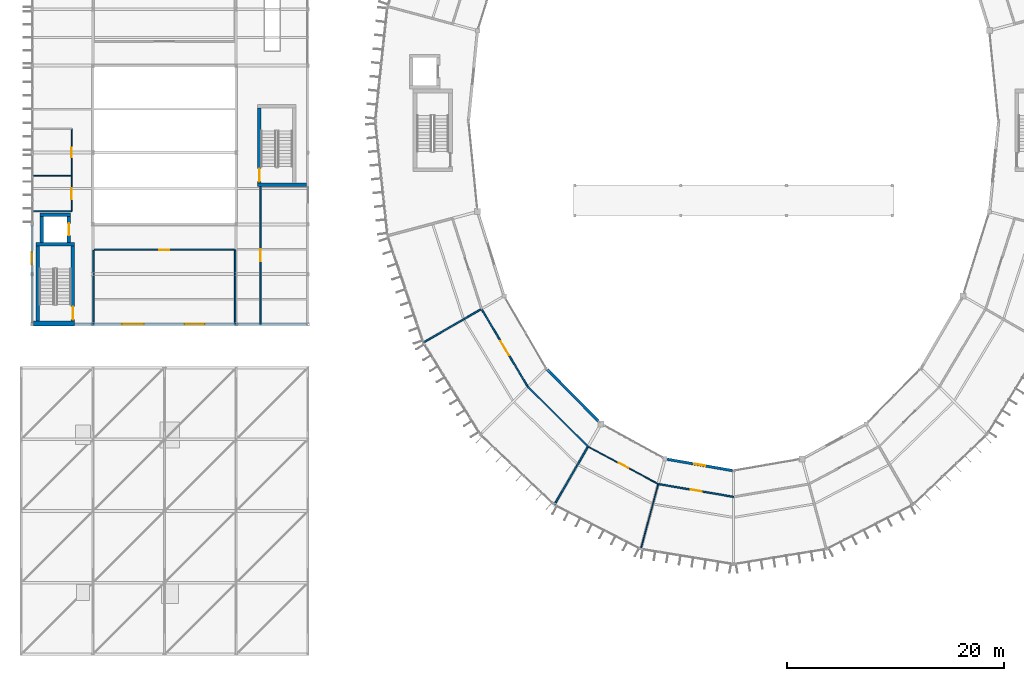
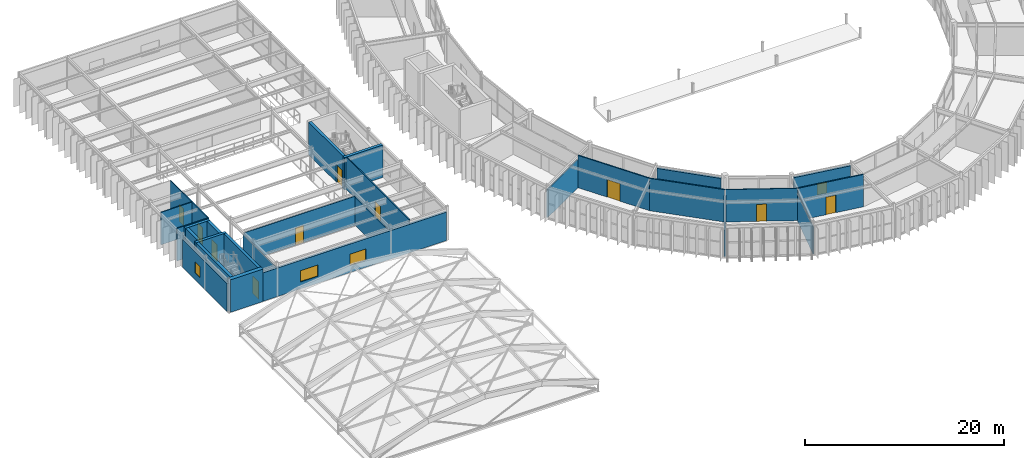
# One storey, part 137 of 157: 28 walls, 10 doors, 4 windows, 14 openings.
"""IFC4 building model written with IfcOpenShell, lengths in metres."""

import ifcopenshell
import ifcopenshell.guid

model = None  # the IFC model being written
_history = None  # IfcOwnerHistory: only IFC2X3 demands one
_inside = {}  # id of a spatial element -> (the spatial element, [elements in it])
_under = {}  # id of a project, library or spatial element -> (it, [spatial elements below it])
_declared = {}  # id of a project -> (the project, [libraries it declares])
_typed = {}  # id of a type object -> (the type object, [elements of that type])
_made_of = {}  # id of a material, layer set ... -> (it, [elements and type objects made of it])


def new_model(schema):
    """Start an empty IFC model of exactly this schema.

    Asked for "IFC4X3", IfcOpenShell would pick the latest addendum, in which some entities
    have other attributes; the version numbers below select the first issue.
    IFC2X3 requires an IfcOwnerHistory on every rooted entity: one is made here for all.
    """
    global model, _history
    if schema == "IFC4X3":
        model = ifcopenshell.file(schema_version=(4, 3, 0, 0))
    else:
        model = ifcopenshell.file(schema=schema)
    _inside.clear()
    _under.clear()
    _declared.clear()
    _typed.clear()
    _made_of.clear()
    _history = None
    if model.schema == "IFC2X3":
        org = make("IfcOrganization", Name="unknown")
        user = make(
            "IfcPersonAndOrganization",
            ThePerson=make("IfcPerson", FamilyName="unknown"),
            TheOrganization=org,
        )
        app = make(
            "IfcApplication",
            ApplicationDeveloper=org,
            Version="unknown",
            ApplicationFullName="unknown",
            ApplicationIdentifier="unknown",
        )
        _history = make(
            "IfcOwnerHistory",
            OwningUser=user,
            OwningApplication=app,
            ChangeAction="ADDED",
            CreationDate=0,
        )
    return model


def make(cls, **values):
    """One entity of the class cls with the attributes given. An attribute that is None is left unset."""
    return model.create_entity(
        cls, **{name: value for name, value in values.items() if value is not None}
    )


def rooted(cls, **values):
    """An entity with a GlobalId (a new one), such as an element, a storey or a relation."""
    return make(cls, GlobalId=ifcopenshell.guid.new(), OwnerHistory=_history, **values)


def si_unit(unit_type, name, prefix=None):
    """IfcSIUnit, for example si_unit("LENGTHUNIT", "METRE", prefix="MILLI")."""
    return make("IfcSIUnit", UnitType=unit_type, Prefix=prefix, Name=name)


def assignment(units):
    """IfcUnitAssignment: the units of a project."""
    return None if units is None else make("IfcUnitAssignment", Units=units)


def point(xyz):
    """IfcCartesianPoint."""
    return None if xyz is None else make("IfcCartesianPoint", Coordinates=xyz)


def direction(xyz):
    """IfcDirection."""
    return None if xyz is None else make("IfcDirection", DirectionRatios=xyz)


def frame(location, z_axis=None, x_axis=None):
    """IfcAxis2Placement3D, a coordinate frame: its origin and axes. An axis left out is left unset."""
    return make(
        "IfcAxis2Placement3D",
        Location=point(location),
        Axis=direction(z_axis),
        RefDirection=direction(x_axis),
    )


def frame_2d(location, x_axis=None):
    """IfcAxis2Placement2D, a coordinate frame in the plane: its origin and x axis."""
    return make(
        "IfcAxis2Placement2D", Location=point(location), RefDirection=direction(x_axis)
    )


def origin():
    """The frame at (0, 0, 0) with its axes left unset."""
    return frame((0.0, 0.0, 0.0))


def place(relative_to, where):
    """IfcLocalPlacement: puts the frame where relative to a parent placement (None: the world)."""
    return make(
        "IfcLocalPlacement", PlacementRelTo=relative_to, RelativePlacement=where
    )


def context(
    kind, dimensions, precision=None, world=None, true_north=None, identifier=None
):
    """IfcGeometricRepresentationContext, for example the 3D "Model" context."""
    return make(
        "IfcGeometricRepresentationContext",
        ContextIdentifier=identifier,
        ContextType=kind,
        CoordinateSpaceDimension=dimensions,
        Precision=precision,
        WorldCoordinateSystem=world,
        TrueNorth=true_north,
    )


def subcontext(parent, identifier, kind, view, scale=None):
    """IfcGeometricRepresentationSubContext, for example "Body" below "Model"."""
    return make(
        "IfcGeometricRepresentationSubContext",
        ContextIdentifier=identifier,
        ContextType=kind,
        ParentContext=parent,
        TargetScale=scale,
        TargetView=view,
    )


def project(units=None, contexts=None):
    """IfcProject with its units and contexts."""
    return rooted(
        "IfcProject",
        Name="project",
        RepresentationContexts=contexts,
        UnitsInContext=assignment(units),
    )


def spatial(cls, under=None, at=None, **own):
    """A site, building, storey or space (cls), placed at a placement, below another one or the project."""
    s = rooted(cls, ObjectPlacement=at, **own)
    if under is not None:
        _under.setdefault(under.id(), (under, []))[1].append(s)
    return s


def profile(cls, at=None, kind="AREA", **sizes):
    """A parametric profile (cls). Its sizes go by their IFC names, for example OverallWidth=200.0."""
    return make(cls, ProfileType=kind, Position=at, **sizes)


def rectangle(**sizes):
    """IfcRectangleProfileDef."""
    return profile("IfcRectangleProfileDef", **sizes)


def extrude(swept, where, along, depth):
    """IfcExtrudedAreaSolid: the profile swept, set in the frame where, extruded along a direction by depth."""
    return make(
        "IfcExtrudedAreaSolid",
        SweptArea=swept,
        Position=where,
        ExtrudedDirection=direction(along),
        Depth=depth,
    )


def shape(context_of_items, identifier, shape_type, items):
    """IfcShapeRepresentation: the items that make up one representation, for example the "Body"."""
    return make(
        "IfcShapeRepresentation",
        ContextOfItems=context_of_items,
        RepresentationIdentifier=identifier,
        RepresentationType=shape_type,
        Items=items,
    )


def material(Name=None, Category=None):
    """IfcMaterial."""
    return make("IfcMaterial", Name=Name, Category=Category)


def layer(
    of_material, thickness, ventilated=None, Name=None, Category=None, Priority=None
):
    """IfcMaterialLayer: one layer of a wall or slab, of a material (None: an air gap)."""
    return make(
        "IfcMaterialLayer",
        Material=of_material,
        LayerThickness=thickness,
        IsVentilated=ventilated,
        Name=Name,
        Category=Category,
        Priority=Priority,
    )


def layer_set(layers, Name=None):
    """IfcMaterialLayerSet."""
    return make("IfcMaterialLayerSet", MaterialLayers=layers, LayerSetName=Name)


def made_of(thing, what):
    """Note that an element or type object is made of a material, layer set ...; save() writes the relation."""
    if what is not None:
        _made_of.setdefault(what.id(), (what, []))[1].append(thing)
    return thing


def type_object(cls, material=None, **own):
    """A type object (cls), such as IfcWallType, which elements share."""
    return made_of(rooted(cls, **own), material)


def element(
    cls,
    number,
    at=None,
    inside=None,
    cuts=None,
    type_object=None,
    material=None,
    context=None,
    identifier="Body",
    shape_type=None,
    held_by="IfcProductDefinitionShape",
    body=None,
    shapes=None,
    **own,
):
    """One element of the class cls, such as IfcWall. Its Tag is "e" and its number.

    at: its placement. inside: the storey or other place that contains it. cuts: it is an
    opening in that element (IfcRelVoidsElement). A single representation is given by context,
    identifier, shape_type and body (its items); several are given by shapes. held_by: the class
    of the entity that holds the representations. save() writes the other relations.
    """
    e = rooted(cls, Tag="e%d" % number, ObjectPlacement=at, **own)
    if body is not None:
        shapes = [shape(context, identifier, shape_type, body)]
    if shapes is not None:
        e.Representation = make(held_by, Representations=shapes)
    if inside is not None:
        _inside.setdefault(inside.id(), (inside, []))[1].append(e)
    if cuts is not None:
        rooted(
            "IfcRelVoidsElement", RelatingBuildingElement=cuts, RelatedOpeningElement=e
        )
    if type_object is not None:
        _typed.setdefault(type_object.id(), (type_object, []))[1].append(e)
    return made_of(e, material)


def fill(opening, filler):
    """IfcRelFillsElement: the door or window that sits in an opening."""
    return rooted(
        "IfcRelFillsElement",
        RelatingOpeningElement=opening,
        RelatedBuildingElement=filler,
    )


def aggregate(whole, parts):
    """IfcRelAggregates: a whole, such as a stair, and the parts it consists of."""
    return rooted("IfcRelAggregates", RelatingObject=whole, RelatedObjects=parts)


def save(model, path):
    """Write the relations noted so far, then the file.

    IfcRelAggregates (storeys below a building ...), IfcRelContainedInSpatialStructure (elements
    in a storey), IfcRelDefinesByType, IfcRelAssociatesMaterial and IfcRelDeclares: one each for
    every whole, place, type object, material and project.
    """
    for whole, parts in _under.values():
        aggregate(whole, parts)
    for where, things in _inside.values():
        rooted(
            "IfcRelContainedInSpatialStructure",
            RelatedElements=things,
            RelatingStructure=where,
        )
    for kind, things in _typed.values():
        rooted("IfcRelDefinesByType", RelatedObjects=things, RelatingType=kind)
    for what, things in _made_of.values():
        rooted("IfcRelAssociatesMaterial", RelatedObjects=things, RelatingMaterial=what)
    for by, libraries in _declared.values():
        rooted("IfcRelDeclares", RelatingContext=by, RelatedDefinitions=libraries)
    model.write(path)


model = new_model("IFC4")

# Units and contexts
model_context = context("Model", 3, precision=1e-05, world=origin(), true_north=direction((0.0, 1.0)))
body_context = subcontext(model_context, "Body", "Model", "MODEL_VIEW")
ifc_project = project(units=[si_unit("LENGTHUNIT", "METRE"), si_unit("AREAUNIT", "SQUARE_METRE"), si_unit("VOLUMEUNIT", "CUBIC_METRE"), si_unit("PLANEANGLEUNIT", "RADIAN"), si_unit("MASSUNIT", "GRAM", prefix="KILO")], contexts=[model_context])

# Site, building, storey
site_placement = place(None, origin())
site = spatial("IfcSite", under=ifc_project, at=site_placement, CompositionType="ELEMENT")
building_placement = place(site_placement, origin())
building = spatial("IfcBuilding", under=site, at=building_placement, Name="Karori Crest Natural Sciences Institute", CompositionType="ELEMENT")
storey_placement = place(building_placement, frame((0.0, 0.0, 13.300048828125)))
storey = spatial("IfcBuildingStorey", under=building, at=storey_placement, Name="L03", CompositionType="ELEMENT", Elevation=13.300048828125)

# Walls
ifc_material_1 = material(Name="Concrete 50 MPa", Category="concrete")
ifc_layer_1 = layer(ifc_material_1, 0.449951171875, Name="Concrete 50 MPa")
ifc_layer_set_1 = layer_set([ifc_layer_1], Name="Concrete 50 MPa")
wall_type_1 = type_object("IfcWallType", Name="IWT-01-EL", PredefinedType="SHEAR", material=ifc_layer_set_1)
wall_1_placement = place(storey_placement, frame((1.927001953125, 31.27490234375, 0.0), z_axis=(0.0, 0.0, 1.0), x_axis=(1.0, 0.0, 0.0)))
element("IfcWall", 1, at=wall_1_placement, inside=storey, type_object=wall_type_1, Name="Shear wall IW-0241", PredefinedType="SHEAR", context=body_context, shape_type="SweptSolid", body=[
    extrude(rectangle(XDim=3.79296875, YDim=0.449951171875, at=frame_2d((1.896484375, 0.0))), origin(), (0.0, 0.0, 1.0), 4.0),
])
ifc_layer_2 = layer(ifc_material_1, 0.320068359375, Name="Concrete 50 MPa")
ifc_layer_set_2 = layer_set([ifc_layer_2], Name="Concrete 50 MPa")
wall_type_2 = type_object("IfcWallType", Name="IWT-03", PredefinedType="SHEAR", material=ifc_layer_set_2)
wall_2_placement = place(storey_placement, frame((2.179931640625, 38.56005859375, 0.0), z_axis=(0.0, 0.0, 1.0), x_axis=(1.0, 0.0, 0.0)))
element("IfcWall", 2, at=wall_2_placement, inside=storey, type_object=wall_type_2, Name="Shear wall IW-0242", PredefinedType="SHEAR", context=body_context, shape_type="SweptSolid", body=[
    extrude(rectangle(XDim=3.5400390625, YDim=0.320068359375, at=frame_2d((1.77001953125, 0.0))), origin(), (0.0, 0.0, 1.0), 4.0),
])
wall_3_placement = place(storey_placement, frame((2.340087890625, 31.501953125, 0.0), z_axis=(0.0, 0.0, 1.0), x_axis=(0.0, 1.0, 0.0)))
element("IfcWall", 3, at=wall_3_placement, inside=storey, type_object=wall_type_2, Name="Shear wall IW-0243", PredefinedType="SHEAR", context=body_context, shape_type="SweptSolid", body=[
    extrude(rectangle(XDim=6.89599609375, YDim=0.320068359375, at=frame_2d((3.447998046875, 0.0))), origin(), (0.0, 0.0, 1.0), 4.0),
])

# Wall, opening, door
wall_4_placement = place(storey_placement, frame((5.56005859375, 31.501953125, 0.0), z_axis=(0.0, 0.0, 1.0), x_axis=(0.0, 1.0, 0.0)))
wall_4 = element("IfcWall", 4, at=wall_4_placement, inside=storey, type_object=wall_type_2, Name="Shear wall IW-0244", PredefinedType="SHEAR", context=body_context, shape_type="SweptSolid", body=[
    extrude(rectangle(XDim=6.89599609375, YDim=0.320068359375, at=frame_2d((3.447998046875, 0.0))), origin(), (0.0, 0.0, 1.0), 4.0),
])
opening_1_placement = place(wall_4_placement, frame((0.1201171875, 0.0, 0.0)))
opening_1 = element("IfcOpeningElement", 5, at=opening_1_placement, cuts=wall_4, Name="Opening ID-0061", PredefinedType="OPENING", context=body_context, shape_type="SweptSolid", body=[
    extrude(rectangle(XDim=1.199951171875, YDim=2.14990234375, at=frame_2d((0.60009765625, 1.074951171875))), frame((0.0, 0.169921875, 0.0), z_axis=(0.0, -1.0, 0.0), x_axis=(1.0, 0.0, 0.0)), (0.0, 0.0, 1.0), 0.340087890625),
])
ifc_material_2 = material(Name="Stainless steel 316 and fire-rated timber", Category="steel")
door_type_1 = type_object("IfcDoorType", Name="IDT-01", OperationType="NOTDEFINED", PredefinedType="DOOR", material=ifc_material_2)
door_1_placement = place(opening_1_placement, origin())
door_1 = element("IfcDoor", 6, at=door_1_placement, inside=storey, type_object=door_type_1, Name="Stair ST-07 fire door ID-0061", OperationType="SINGLE_SWING_LEFT", OverallHeight=2.14990234375, OverallWidth=1.199951171875, PredefinedType="DOOR", context=body_context, shape_type="SweptSolid", body=[
    extrude(rectangle(XDim=1.199951171875, YDim=2.14990234375, at=frame_2d((0.60009765625, 1.074951171875))), frame((0.0, 0.02490234375, 0.0), z_axis=(0.0, -1.0, 0.0), x_axis=(1.0, 0.0, 0.0)), (0.0, 0.0, 1.0), 0.050048828125),
])
fill(opening_1, door_1)

# Wall
wall_5_placement = place(storey_placement, frame((22.580078125, 44.0400390625, 0.0), z_axis=(0.0, 0.0, 1.0), x_axis=(1.0, 0.0, 0.0)))
element("IfcWall", 7, at=wall_5_placement, inside=storey, type_object=wall_type_2, Name="Shear wall IW-0265", PredefinedType="SHEAR", context=body_context, shape_type="SweptSolid", body=[
    extrude(rectangle(XDim=4.48486328125, YDim=0.320068359375, at=frame_2d((2.242431640625, 0.0))), origin(), (0.0, 0.0, 1.0), 4.0),
])

# Wall, opening, door
wall_6_placement = place(storey_placement, frame((22.739990234375, 44.201904296875, 0.0), z_axis=(0.0, 0.0, 1.0), x_axis=(0.0, 1.0, 0.0)))
wall_6 = element("IfcWall", 8, at=wall_6_placement, inside=storey, type_object=wall_type_2, Name="Shear wall IW-0267", PredefinedType="SHEAR", context=body_context, shape_type="SweptSolid", body=[
    extrude(rectangle(XDim=6.89599609375, YDim=0.320068359375, at=frame_2d((3.447998046875, 0.0))), origin(), (0.0, 0.0, 1.0), 4.0),
])
opening_2_placement = place(wall_6_placement, frame((0.1201171875, 0.0, 0.0)))
opening_2 = element("IfcOpeningElement", 9, at=opening_2_placement, cuts=wall_6, Name="Opening ID-0067", PredefinedType="OPENING", context=body_context, shape_type="SweptSolid", body=[
    extrude(rectangle(XDim=1.199951171875, YDim=2.14990234375, at=frame_2d((0.60009765625, 1.074951171875))), frame((0.0, 0.169921875, 0.0), z_axis=(0.0, -1.0, 0.0), x_axis=(1.0, 0.0, 0.0)), (0.0, 0.0, 1.0), 0.340087890625),
])
door_2_placement = place(opening_2_placement, origin())
door_2 = element("IfcDoor", 10, at=door_2_placement, inside=storey, type_object=door_type_1, Name="Stair ST-08 fire door ID-0067", OperationType="SINGLE_SWING_LEFT", OverallHeight=2.14990234375, OverallWidth=1.199951171875, PredefinedType="DOOR", context=body_context, shape_type="SweptSolid", body=[
    extrude(rectangle(XDim=1.199951171875, YDim=2.14990234375, at=frame_2d((0.60009765625, 1.074951171875))), frame((0.0, 0.02490234375, 0.0), z_axis=(0.0, -1.0, 0.0), x_axis=(1.0, 0.0, 0.0)), (0.0, 0.0, 1.0), 0.050048828125),
])
fill(opening_2, door_2)

# Walls
wall_7_placement = place(storey_placement, frame((2.544921875, 41.294921875, 0.0), z_axis=(0.0, 0.0, 1.0), x_axis=(1.0, 0.0, 0.0)))
element("IfcWall", 11, at=wall_7_placement, inside=storey, type_object=wall_type_2, Name="Shear wall IW-0481", PredefinedType="SHEAR", context=body_context, shape_type="SweptSolid", body=[
    extrude(rectangle(XDim=2.81005859375, YDim=0.320068359375, at=frame_2d((1.405029296875, 0.0))), origin(), (0.0, 0.0, 1.0), 4.0),
])
wall_8_placement = place(storey_placement, frame((2.705078125, 38.721923828125, 0.0), z_axis=(0.0, 0.0, 1.0), x_axis=(0.0, 1.0, 0.0)))
element("IfcWall", 12, at=wall_8_placement, inside=storey, type_object=wall_type_2, Name="Shear wall IW-0482", PredefinedType="SHEAR", context=body_context, shape_type="SweptSolid", body=[
    extrude(rectangle(XDim=2.4111328125, YDim=0.320068359375, at=frame_2d((1.20556640625, 0.0))), origin(), (0.0, 0.0, 1.0), 4.0),
])

# Wall, opening, door
wall_9_placement = place(storey_placement, frame((5.195068359375, 38.721923828125, 0.0), z_axis=(0.0, 0.0, 1.0), x_axis=(0.0, 1.0, 0.0)))
wall_9 = element("IfcWall", 13, at=wall_9_placement, inside=storey, type_object=wall_type_2, Name="Shear wall IW-0483", PredefinedType="SHEAR", context=body_context, shape_type="SweptSolid", body=[
    extrude(rectangle(XDim=2.4111328125, YDim=0.320068359375, at=frame_2d((1.20556640625, 0.0))), origin(), (0.0, 0.0, 1.0), 4.0),
])
opening_3_placement = place(wall_9_placement, frame((0.655517578125, 0.0, 0.0)))
opening_3 = element("IfcOpeningElement", 14, at=opening_3_placement, cuts=wall_9, Name="Opening LD-0046", PredefinedType="OPENING", context=body_context, shape_type="SweptSolid", body=[
    extrude(rectangle(XDim=1.10009765625, YDim=2.14990234375, at=frame_2d((0.550048828125, 1.074951171875))), frame((0.0, 0.169921875, 0.0), z_axis=(0.0, -1.0, 0.0), x_axis=(1.0, 0.0, 0.0)), (0.0, 0.0, 1.0), 0.340087890625),
])
door_type_2 = type_object("IfcDoorType", Name="LDT-01", OperationType="SLIDING_TO_LEFT", PredefinedType="DOOR", material=ifc_material_2)
door_3_placement = place(opening_3_placement, origin())
door_3 = element("IfcDoor", 15, at=door_3_placement, inside=storey, type_object=door_type_2, Name="Lift LP-03 landing door LD-0046", OperationType="SLIDING_TO_LEFT", OverallHeight=2.14990234375, OverallWidth=1.10009765625, PredefinedType="DOOR", context=body_context, shape_type="SweptSolid", body=[
    extrude(rectangle(XDim=1.10009765625, YDim=2.14990234375, at=frame_2d((0.550048828125, 1.074951171875))), frame((0.0, 0.02490234375, 0.0), z_axis=(0.0, -1.0, 0.0), x_axis=(1.0, 0.0, 0.0)), (0.0, 0.0, 1.0), 0.050048828125),
])
fill(opening_3, door_3)

# Wall
ifc_material_3 = material(Name="Laboratory acoustic drywall partition")
ifc_layer_3 = layer(ifc_material_3, 0.139892578125, Name="Laboratory acoustic drywall partition")
ifc_layer_set_3 = layer_set([ifc_layer_3], Name="Laboratory acoustic drywall partition")
wall_type_3 = type_object("IfcWallType", Name="IWT-07", PredefinedType="PARTITIONING", material=ifc_layer_set_3)
wall_10_placement = place(storey_placement, frame((43.12109375, 32.56005859375, 0.0), z_axis=(0.0, 0.0, 1.0), x_axis=(-0.866010470582, -0.500025864173, 0.0)))
element("IfcWall", 16, at=wall_10_placement, inside=storey, type_object=wall_type_3, Name="Partition wall IW-1311", PredefinedType="PARTITIONING", context=body_context, shape_type="SweptSolid", body=[
    extrude(rectangle(XDim=6.059814453125, YDim=0.139892578125, at=frame_2d((3.02978515625, 0.0))), origin(), (0.0, 0.0, 1.0), 3.470947265625),
])

# Wall, opening, door
wall_11_placement = place(storey_placement, frame((43.227294921875, 32.5380859375, 0.0), z_axis=(0.0, 0.0, 1.0), x_axis=(0.510911392115, -0.859633380812, 0.0)))
wall_11 = element("IfcWall", 17, at=wall_11_placement, inside=storey, type_object=wall_type_3, Name="Partition wall IW-1312", PredefinedType="PARTITIONING", context=body_context, shape_type="SweptSolid", body=[
    extrude(rectangle(XDim=8.263916015625, YDim=0.139892578125, at=frame_2d((4.1318359375, 0.0))), origin(), (0.0, 0.0, 1.0), 3.97998046875),
])
opening_4_placement = place(wall_11_placement, frame((3.382080078125, 0.0, 0.0)))
opening_4 = element("IfcOpeningElement", 18, at=opening_4_placement, cuts=wall_11, Name="Opening ID-0409", PredefinedType="OPENING", context=body_context, shape_type="SweptSolid", body=[
    extrude(rectangle(XDim=1.5, YDim=2.14990234375, at=frame_2d((0.75, 1.074951171875))), frame((0.0, 0.080078125, 0.0), z_axis=(0.0, -1.0, 0.0), x_axis=(1.0, 0.0, 0.0)), (0.0, 0.0, 1.0), 0.159912109375),
])
door_type_3 = type_object("IfcDoorType", Name="IDT-05", OperationType="DOUBLE_DOOR_SINGLE_SWING", PredefinedType="DOOR", material=ifc_material_2)
door_4_placement = place(opening_4_placement, origin())
door_4 = element("IfcDoor", 19, at=door_4_placement, inside=storey, type_object=door_type_3, Name="Atmospheric Physics Laboratory door ID-0409", OperationType="DOUBLE_DOOR_SINGLE_SWING", OverallHeight=2.14990234375, OverallWidth=1.5, PredefinedType="DOOR", context=body_context, shape_type="SweptSolid", body=[
    extrude(rectangle(XDim=1.5, YDim=2.14990234375, at=frame_2d((0.75, 1.074951171875))), frame((0.0, 0.02490234375, 0.0), z_axis=(0.0, -1.0, 0.0), x_axis=(1.0, 0.0, 0.0)), (0.0, 0.0, 1.0), 0.050048828125),
])
fill(opening_4, door_4)

# Walls
wall_12_placement = place(storey_placement, frame((47.450927734375, 25.4326171875, 0.0), z_axis=(0.0, 0.0, 1.0), x_axis=(0.710427757183, -0.703770134222, 0.0)))
element("IfcWall", 20, at=wall_12_placement, inside=storey, type_object=wall_type_3, Name="Partition wall IW-1313", PredefinedType="PARTITIONING", context=body_context, shape_type="SweptSolid", body=[
    extrude(rectangle(XDim=7.810791015625, YDim=0.139892578125, at=frame_2d((3.9052734375, 0.0))), origin(), (0.0, 0.0, 1.0), 3.97998046875),
])
wall_13_placement = place(storey_placement, frame((52.9599609375, 19.8662109375, 0.0), z_axis=(0.0, 0.0, 1.0), x_axis=(-0.500008418462, -0.866020543329, 0.0)))
element("IfcWall", 21, at=wall_13_placement, inside=storey, type_object=wall_type_3, Name="Partition wall IW-1314", PredefinedType="PARTITIONING", context=body_context, shape_type="SweptSolid", body=[
    extrude(rectangle(XDim=6.06005859375, YDim=0.139892578125, at=frame_2d((3.030029296875, 0.0))), origin(), (0.0, 0.0, 1.0), 3.31298828125),
])

# Wall, opening, door
wall_14_placement = place(storey_placement, frame((59.51513671875, 16.47021484375, 0.0), z_axis=(0.0, 0.0, 1.0), x_axis=(0.985861622289, -0.167561516157, 0.0)))
wall_14 = element("IfcWall", 22, at=wall_14_placement, inside=storey, type_object=wall_type_3, Name="Partition wall IW-1317", PredefinedType="PARTITIONING", context=body_context, shape_type="SweptSolid", body=[
    extrude(rectangle(XDim=6.9833984375, YDim=0.139892578125, at=frame_2d((3.49169921875, 0.0))), origin(), (0.0, 0.0, 1.0), 3.97998046875),
])
opening_5_placement = place(wall_14_placement, frame((2.966796875, 0.0, 0.0)))
opening_5 = element("IfcOpeningElement", 23, at=opening_5_placement, cuts=wall_14, Name="Opening ID-0411", PredefinedType="OPENING", context=body_context, shape_type="SweptSolid", body=[
    extrude(rectangle(XDim=1.050048828125, YDim=2.14990234375, at=frame_2d((0.52490234375, 1.074951171875))), frame((0.0, 0.080078125, 0.0), z_axis=(0.0, -1.0, 0.0), x_axis=(1.0, 0.0, 0.0)), (0.0, 0.0, 1.0), 0.159912109375),
])
door_type_4 = type_object("IfcDoorType", Name="IDT-03", OperationType="NOTDEFINED", PredefinedType="DOOR", material=ifc_material_2)
door_5_placement = place(opening_5_placement, origin())
door_5 = element("IfcDoor", 24, at=door_5_placement, inside=storey, type_object=door_type_4, Name="Marine Ecology Dry Laboratory door ID-0411", OperationType="SINGLE_SWING_RIGHT", OverallHeight=2.14990234375, OverallWidth=1.050048828125, PredefinedType="DOOR", context=body_context, shape_type="SweptSolid", body=[
    extrude(rectangle(XDim=1.050048828125, YDim=2.14990234375, at=frame_2d((0.52490234375, 1.074951171875))), frame((0.0, 0.02490234375, 0.0), z_axis=(0.0, -1.0, 0.0), x_axis=(1.0, 0.0, 0.0)), (0.0, 0.0, 1.0), 0.050048828125),
])
fill(opening_5, door_5)

ifc_material_4 = material(Name="Write-up office acoustic partition")
ifc_layer_4 = layer(ifc_material_4, 0.1201171875, Name="Write-up office acoustic partition")
ifc_layer_set_4 = layer_set([ifc_layer_4], Name="Write-up office acoustic partition")
wall_type_4 = type_object("IfcWallType", Name="IWT-08", PredefinedType="PARTITIONING", material=ifc_layer_set_4)
wall_15_placement = place(storey_placement, frame((7.531982421875, 38.050048828125, 0.0), z_axis=(0.0, 0.0, 1.0), x_axis=(1.0, 0.0, 0.0)))
wall_15 = element("IfcWall", 25, at=wall_15_placement, inside=storey, type_object=wall_type_4, Name="Partition wall IW-1118", PredefinedType="PARTITIONING", context=body_context, shape_type="SweptSolid", body=[
    extrude(rectangle(XDim=12.89599609375, YDim=0.1201171875, at=frame_2d((6.447998046875, 0.0))), origin(), (0.0, 0.0, 1.0), 3.597900390625),
])
opening_6_placement = place(wall_15_placement, frame((5.972900390625, 0.0, 0.0)))
opening_6 = element("IfcOpeningElement", 26, at=opening_6_placement, cuts=wall_15, Name="Opening ID-0326", PredefinedType="OPENING", context=body_context, shape_type="SweptSolid", body=[
    extrude(rectangle(XDim=0.949951171875, YDim=2.10009765625, at=frame_2d((0.47509765625, 1.050048828125))), frame((0.0, 0.070068359375, 0.0), z_axis=(0.0, -1.0, 0.0), x_axis=(1.0, 0.0, 0.0)), (0.0, 0.0, 1.0), 0.14013671875),
])
ifc_material_5 = material(Name="Anodised aluminium and acoustic timber", Category="wood")
door_type_5 = type_object("IfcDoorType", Name="IDT-08", OperationType="NOTDEFINED", PredefinedType="DOOR", material=ifc_material_5)
door_6_placement = place(opening_6_placement, origin())
door_6 = element("IfcDoor", 27, at=door_6_placement, inside=storey, type_object=door_type_5, Name="Archival Reading Room door ID-0326", OperationType="SINGLE_SWING_RIGHT", OverallHeight=2.10009765625, OverallWidth=0.949951171875, PredefinedType="DOOR", context=body_context, shape_type="SweptSolid", body=[
    extrude(rectangle(XDim=0.949951171875, YDim=2.10009765625, at=frame_2d((0.47509765625, 1.050048828125))), frame((0.0, 0.02490234375, 0.0), z_axis=(0.0, -1.0, 0.0), x_axis=(1.0, 0.0, 0.0)), (0.0, 0.0, 1.0), 0.050048828125),
])
fill(opening_6, door_6)

# Walls
wall_16_placement = place(storey_placement, frame((7.449951171875, 31.199951171875, 0.0), z_axis=(0.0, 0.0, 1.0), x_axis=(0.0, 1.0, 0.0)))
element("IfcWall", 28, at=wall_16_placement, inside=storey, type_object=wall_type_4, Name="Partition wall IW-1119", PredefinedType="PARTITIONING", context=body_context, shape_type="SweptSolid", body=[
    extrude(rectangle(XDim=6.7880859375, YDim=0.1201171875, at=frame_2d((3.39404296875, 0.0))), origin(), (0.0, 0.0, 1.0), 3.445068359375),
])
wall_17_placement = place(storey_placement, frame((20.5, 31.199951171875, 0.0), z_axis=(0.0, 0.0, 1.0), x_axis=(0.0, 1.0, 0.0)))
element("IfcWall", 29, at=wall_17_placement, inside=storey, type_object=wall_type_4, Name="Partition wall IW-1120", PredefinedType="PARTITIONING", context=body_context, shape_type="SweptSolid", body=[
    extrude(rectangle(XDim=6.85009765625, YDim=0.1201171875, at=frame_2d((3.425048828125, 0.0))), origin(), (0.0, 0.0, 1.0), 3.445068359375),
])

# Wall, opening, door
wall_18_placement = place(storey_placement, frame((22.85009765625, 31.199951171875, 0.0), z_axis=(0.0, 0.0, 1.0), x_axis=(0.0, 1.0, 0.0)))
wall_18 = element("IfcWall", 30, at=wall_18_placement, inside=storey, type_object=wall_type_4, Name="Partition wall IW-1121", PredefinedType="PARTITIONING", context=body_context, shape_type="SweptSolid", body=[
    extrude(rectangle(XDim=12.679931640625, YDim=0.1201171875, at=frame_2d((6.33984375, 0.0))), origin(), (0.0, 0.0, 1.0), 4.0),
])
opening_7_placement = place(wall_18_placement, frame((5.800048828125, 0.0, 0.0)))
opening_7 = element("IfcOpeningElement", 31, at=opening_7_placement, cuts=wall_18, Name="Opening ID-0327", PredefinedType="OPENING", context=body_context, shape_type="SweptSolid", body=[
    extrude(rectangle(XDim=1.080078125, YDim=2.1201171875, at=frame_2d((0.5400390625, 1.06005859375))), frame((0.0, 0.070068359375, 0.0), z_axis=(0.0, -1.0, 0.0), x_axis=(1.0, 0.0, 0.0)), (0.0, 0.0, 1.0), 0.14013671875),
])
door_type_6 = type_object("IfcDoorType", Name="IDT-12", OperationType="NOTDEFINED", PredefinedType="DOOR", material=ifc_material_5)
door_7_placement = place(opening_7_placement, origin())
door_7 = element("IfcDoor", 32, at=door_7_placement, inside=storey, type_object=door_type_6, Name="Visiting Fellows Studio door ID-0327", OperationType="SINGLE_SWING_LEFT", OverallHeight=2.1201171875, OverallWidth=1.080078125, PredefinedType="DOOR", context=body_context, shape_type="SweptSolid", body=[
    extrude(rectangle(XDim=1.080078125, YDim=2.1201171875, at=frame_2d((0.5400390625, 1.06005859375))), frame((0.0, 0.02490234375, 0.0), z_axis=(0.0, -1.0, 0.0), x_axis=(1.0, 0.0, 0.0)), (0.0, 0.0, 1.0), 0.050048828125),
])
fill(opening_7, door_7)

# Walls
ifc_material_6 = material(Name="Washroom moisture-resistant partition")
ifc_layer_5 = layer(ifc_material_6, 0.10009765625, Name="Washroom moisture-resistant partition")
ifc_layer_set_5 = layer_set([ifc_layer_5], Name="Washroom moisture-resistant partition")
wall_type_5 = type_object("IfcWallType", Name="IWT-09", PredefinedType="PARTITIONING", material=ifc_layer_set_5)
for number, where, z_axis, x_axis, name in (
    (33, (1.800048828125, 41.60009765625, 0.0), (0.0, 0.0, 1.0), (1.0, 0.0, 0.0), "Partition wall IW-1122"),
    (34, (1.800048828125, 44.85009765625, 0.0), (0.0, 0.0, 1.0), (1.0, 0.0, 0.0), "Partition wall IW-1123"),
):
    element("IfcWall", number, at=place(storey_placement, frame(where, z_axis=z_axis, x_axis=x_axis)), inside=storey, type_object=wall_type_5, Name=name, PredefinedType="PARTITIONING", context=body_context, shape_type="SweptSolid", body=[
        extrude(rectangle(XDim=3.64990234375, YDim=0.10009765625, at=frame_2d((1.824951171875, 0.0))), origin(), (0.0, 0.0, 1.0), 4.0),
    ])

# Wall, opening, door
wall_19_placement = place(storey_placement, frame((5.449951171875, 41.60009765625, 0.0), z_axis=(0.0, 0.0, 1.0), x_axis=(0.0, 1.0, 0.0)))
wall_19 = element("IfcWall", 35, at=wall_19_placement, inside=storey, type_object=wall_type_5, Name="Partition wall IW-1124", PredefinedType="PARTITIONING", context=body_context, shape_type="SweptSolid", body=[
    extrude(rectangle(XDim=3.25, YDim=0.10009765625, at=frame_2d((1.625, 0.0))), origin(), (0.0, 0.0, 1.0), 4.0),
])
opening_8_placement = place(wall_19_placement, frame((1.125, 0.0, 0.0)))
opening_8 = element("IfcOpeningElement", 36, at=opening_8_placement, cuts=wall_19, Name="Opening ID-0328", PredefinedType="OPENING", context=body_context, shape_type="SweptSolid", body=[
    extrude(rectangle(XDim=1.0, YDim=2.10009765625, at=frame_2d((0.5, 1.050048828125))), frame((0.0, 0.06005859375, 0.0), z_axis=(0.0, -1.0, 0.0), x_axis=(1.0, 0.0, 0.0)), (0.0, 0.0, 1.0), 0.1201171875),
])
door_type_7 = type_object("IfcDoorType", Name="IDT-09", OperationType="NOTDEFINED", PredefinedType="DOOR", material=ifc_material_5)
door_8_placement = place(opening_8_placement, origin())
door_8 = element("IfcDoor", 37, at=door_8_placement, inside=storey, type_object=door_type_7, Name="Accessible WC door ID-0328", OperationType="SINGLE_SWING_RIGHT", OverallHeight=2.10009765625, OverallWidth=1.0, PredefinedType="DOOR", context=body_context, shape_type="SweptSolid", body=[
    extrude(rectangle(XDim=1.0, YDim=2.10009765625, at=frame_2d((0.5, 1.050048828125))), frame((0.0, 0.02490234375, 0.0), z_axis=(0.0, -1.0, 0.0), x_axis=(1.0, 0.0, 0.0)), (0.0, 0.0, 1.0), 0.050048828125),
])
fill(opening_8, door_8)

wall_20_placement = place(storey_placement, frame((5.449951171875, 44.85205078125, 0.0), z_axis=(0.0, 0.0, 1.0), x_axis=(0.0, 1.0, 0.0)))
wall_20 = element("IfcWall", 38, at=wall_20_placement, inside=storey, type_object=wall_type_5, Name="Partition wall IW-1126", PredefinedType="PARTITIONING", context=body_context, shape_type="SweptSolid", body=[
    extrude(rectangle(XDim=4.347900390625, YDim=0.10009765625, at=frame_2d((2.173828125, 0.0))), origin(), (0.0, 0.0, 1.0), 4.0),
])
opening_9_placement = place(wall_20_placement, frame((1.73388671875, 0.0, 0.0)))
opening_9 = element("IfcOpeningElement", 39, at=opening_9_placement, cuts=wall_20, Name="Opening ID-0329", PredefinedType="OPENING", context=body_context, shape_type="SweptSolid", body=[
    extrude(rectangle(XDim=0.8798828125, YDim=2.080078125, at=frame_2d((0.43994140625, 1.0400390625))), frame((0.0, 0.06005859375, 0.0), z_axis=(0.0, -1.0, 0.0), x_axis=(1.0, 0.0, 0.0)), (0.0, 0.0, 1.0), 0.1201171875),
])
door_type_8 = type_object("IfcDoorType", Name="IDT-10", OperationType="NOTDEFINED", PredefinedType="DOOR", material=ifc_material_5)
door_9_placement = place(opening_9_placement, origin())
door_9 = element("IfcDoor", 40, at=door_9_placement, inside=storey, type_object=door_type_8, Name="Staff Washroom WC door ID-0329", OperationType="SINGLE_SWING_LEFT", OverallHeight=2.080078125, OverallWidth=0.8798828125, PredefinedType="DOOR", context=body_context, shape_type="SweptSolid", body=[
    extrude(rectangle(XDim=0.8798828125, YDim=2.080078125, at=frame_2d((0.43994140625, 1.0400390625))), frame((0.0, 0.02490234375, 0.0), z_axis=(0.0, -1.0, 0.0), x_axis=(1.0, 0.0, 0.0)), (0.0, 0.0, 1.0), 0.050048828125),
])
fill(opening_9, door_9)

wall_21_placement = place(storey_placement, frame((53.0634765625, 19.901611328125, 0.0), z_axis=(0.0, 0.0, 1.0), x_axis=(0.881826283139, -0.471574391125, 0.0)))
wall_21 = element("IfcWall", 41, at=wall_21_placement, inside=storey, type_object=wall_type_5, Name="Partition wall IW-1315", PredefinedType="PARTITIONING", context=body_context, shape_type="SweptSolid", body=[
    extrude(rectangle(XDim=7.2578125, YDim=0.10009765625, at=frame_2d((3.62890625, 0.0))), origin(), (0.0, 0.0, 1.0), 3.97998046875),
])
opening_10_placement = place(wall_21_placement, frame((3.12890625, 0.0, 0.0)))
opening_10 = element("IfcOpeningElement", 42, at=opening_10_placement, cuts=wall_21, Name="Opening ID-0410", PredefinedType="OPENING", context=body_context, shape_type="SweptSolid", body=[
    extrude(rectangle(XDim=1.0, YDim=2.10009765625, at=frame_2d((0.5, 1.050048828125))), frame((0.0, 0.06005859375, 0.0), z_axis=(0.0, -1.0, 0.0), x_axis=(1.0, 0.0, 0.0)), (0.0, 0.0, 1.0), 0.1201171875),
])
door_10_placement = place(opening_10_placement, origin())
door_10 = element("IfcDoor", 43, at=door_10_placement, inside=storey, type_object=door_type_7, Name="Laboratory Washroom WC door ID-0410", OperationType="SINGLE_SWING_LEFT", OverallHeight=2.10009765625, OverallWidth=1.0, PredefinedType="DOOR", context=body_context, shape_type="SweptSolid", body=[
    extrude(rectangle(XDim=1.0, YDim=2.10009765625, at=frame_2d((0.5, 1.050048828125))), frame((0.0, 0.02490234375, 0.0), z_axis=(0.0, -1.0, 0.0), x_axis=(1.0, 0.0, 0.0)), (0.0, 0.0, 1.0), 0.050048828125),
])
fill(opening_10, door_10)

# Walls
wall_22_placement = place(storey_placement, frame((59.44287109375, 16.401611328125, 0.0), z_axis=(0.0, 0.0, 1.0), x_axis=(-0.258805895167, -0.965929349708, 0.0)))
element("IfcWall", 44, at=wall_22_placement, inside=storey, type_object=wall_type_5, Name="Partition wall IW-1316", PredefinedType="PARTITIONING", context=body_context, shape_type="SweptSolid", body=[
    extrude(rectangle(XDim=6.06005859375, YDim=0.10009765625, at=frame_2d((3.030029296875, 0.0))), origin(), (0.0, 0.0, 1.0), 3.322998046875),
])
ifc_material_7 = material(Name="Precast concrete 40 MPa", Category="concrete")
ifc_layer_6 = layer(ifc_material_7, 0.239990234375, Name="Precast concrete 40 MPa")
ifc_layer_set_6 = layer_set([ifc_layer_6], Name="Precast concrete 40 MPa")
wall_type_6 = type_object("IfcWallType", Name="WT-04", PredefinedType="SOLIDWALL", material=ifc_layer_set_6)
wall_23_placement = place(storey_placement, frame((49.247802734375, 27.02880859375, 0.0), z_axis=(0.0, 0.0, 1.0), x_axis=(0.702641034555, -0.711544500759, 0.0)))
element("IfcWall", 45, at=wall_23_placement, inside=storey, type_object=wall_type_6, Name="Exterior wall EW-0071", PredefinedType="SOLIDWALL", context=body_context, shape_type="SweptSolid", body=[
    extrude(rectangle(XDim=6.663330078125, YDim=0.239990234375, at=frame_2d((3.33154296875, 0.0))), origin(), (0.0, 0.0, 1.0), 3.64990234375),
])

# Wall, opening, window
wall_24_placement = place(storey_placement, frame((60.28271484375, 18.7626953125, 0.0), z_axis=(0.0, 0.0, 1.0), x_axis=(0.985246064368, -0.171143777706, 0.0)))
wall_24 = element("IfcWall", 46, at=wall_24_placement, inside=storey, type_object=wall_type_6, Name="Exterior wall EW-0072", PredefinedType="SOLIDWALL", context=body_context, shape_type="SweptSolid", body=[
    extrude(rectangle(XDim=6.10693359375, YDim=0.239990234375, at=frame_2d((3.053466796875, 0.0))), origin(), (0.0, 0.0, 1.0), 3.64990234375),
])
opening_11_placement = place(wall_24_placement, frame((2.5283203125, 0.0, 0.85009765625)))
opening_11 = element("IfcOpeningElement", 47, at=opening_11_placement, cuts=wall_24, Name="Opening WN-0027", PredefinedType="OPENING", context=body_context, shape_type="SweptSolid", body=[
    extrude(rectangle(XDim=1.050048828125, YDim=1.35009765625, at=frame_2d((0.52490234375, 0.675048828125))), frame((0.0, 0.1298828125, 0.0), z_axis=(0.0, -1.0, 0.0), x_axis=(1.0, 0.0, 0.0)), (0.0, 0.0, 1.0), 0.260009765625),
])
ifc_material_8 = material(Name="Double low-E laminated glass", Category="glass")
window_type_1 = type_object("IfcWindowType", Name="WNT-18", PartitioningType="SINGLE_PANEL", PredefinedType="WINDOW", material=ifc_material_8)
window_1_placement = place(opening_11_placement, origin())
window_1 = element("IfcWindow", 48, at=window_1_placement, inside=storey, type_object=window_type_1, Name="Window WN-0027", OverallHeight=1.35009765625, OverallWidth=1.050048828125, PartitioningType="SINGLE_PANEL", PredefinedType="WINDOW", context=body_context, shape_type="SweptSolid", body=[
    extrude(rectangle(XDim=1.050048828125, YDim=1.35009765625, at=frame_2d((0.52490234375, 0.675048828125))), frame((0.0, 0.030029296875, 0.0), z_axis=(0.0, -1.0, 0.0), x_axis=(1.0, 0.0, 0.0)), (0.0, 0.0, 1.0), 0.06005859375),
])
fill(opening_11, window_1)

# Wall, openings, windows
wall_25_placement = place(storey_placement, frame((27.076904296875, 31.199951171875, 0.0), z_axis=(0.0, 0.0, 1.0), x_axis=(-1.0, 0.0, 0.0)))
wall_25 = element("IfcWall", 49, at=wall_25_placement, inside=storey, type_object=wall_type_6, Name="Exterior wall EW-0148", PredefinedType="SOLIDWALL", context=body_context, shape_type="SweptSolid", body=[
    extrude(rectangle(XDim=21.35498046875, YDim=0.239990234375, at=frame_2d((10.677490234375, 0.0))), origin(), (0.0, 0.0, 1.0), 3.5048828125),
])
opening_12_placement = place(wall_25_placement, frame((9.376953125, 0.0, 0.85009765625)))
opening_12 = element("IfcOpeningElement", 50, at=opening_12_placement, cuts=wall_25, Name="Opening WN-0090", PredefinedType="OPENING", context=body_context, shape_type="SweptSolid", body=[
    extrude(rectangle(XDim=1.85009765625, YDim=1.39990234375, at=frame_2d((0.925048828125, 0.699951171875))), frame((0.0, 0.1298828125, 0.0), z_axis=(0.0, -1.0, 0.0), x_axis=(1.0, 0.0, 0.0)), (0.0, 0.0, 1.0), 0.260009765625),
])
opening_13_placement = place(wall_25_placement, frame((14.97705078125, 0.0, 0.85009765625)))
opening_13 = element("IfcOpeningElement", 51, at=opening_13_placement, cuts=wall_25, Name="Opening WN-0091", PredefinedType="OPENING", context=body_context, shape_type="SweptSolid", body=[
    extrude(rectangle(XDim=2.0, YDim=1.39990234375, at=frame_2d((1.0, 0.699951171875))), frame((0.0, 0.1298828125, 0.0), z_axis=(0.0, -1.0, 0.0), x_axis=(1.0, 0.0, 0.0)), (0.0, 0.0, 1.0), 0.260009765625),
])
window_type_2 = type_object("IfcWindowType", Name="WNT-06", PartitioningType="SINGLE_PANEL", PredefinedType="WINDOW", material=ifc_material_8)
window_2_placement = place(opening_12_placement, origin())
window_2 = element("IfcWindow", 52, at=window_2_placement, inside=storey, type_object=window_type_2, Name="Window WN-0090", OverallHeight=1.39990234375, OverallWidth=1.85009765625, PartitioningType="SINGLE_PANEL", PredefinedType="WINDOW", context=body_context, shape_type="SweptSolid", body=[
    extrude(rectangle(XDim=1.85009765625, YDim=1.39990234375, at=frame_2d((0.925048828125, 0.699951171875))), frame((0.0, 0.030029296875, 0.0), z_axis=(0.0, -1.0, 0.0), x_axis=(1.0, 0.0, 0.0)), (0.0, 0.0, 1.0), 0.06005859375),
])
fill(opening_12, window_2)
window_type_3 = type_object("IfcWindowType", Name="WNT-07", PartitioningType="SINGLE_PANEL", PredefinedType="WINDOW", material=ifc_material_8)
window_3_placement = place(opening_13_placement, origin())
window_3 = element("IfcWindow", 53, at=window_3_placement, inside=storey, type_object=window_type_3, Name="Window WN-0091", OverallHeight=1.39990234375, OverallWidth=2.0, PartitioningType="SINGLE_PANEL", PredefinedType="WINDOW", context=body_context, shape_type="SweptSolid", body=[
    extrude(rectangle(XDim=2.0, YDim=1.39990234375, at=frame_2d((1.0, 0.699951171875))), frame((0.0, 0.030029296875, 0.0), z_axis=(0.0, -1.0, 0.0), x_axis=(1.0, 0.0, 0.0)), (0.0, 0.0, 1.0), 0.06005859375),
])
fill(opening_13, window_3)

# Wall, opening, window
ifc_layer_7 = layer(ifc_material_7, 0.219970703125, Name="Precast concrete 40 MPa")
ifc_layer_set_7 = layer_set([ifc_layer_7], Name="Precast concrete 40 MPa")
wall_type_7 = type_object("IfcWallType", Name="WT-05", PredefinedType="SOLIDWALL", material=ifc_layer_set_7)
wall_26_placement = place(storey_placement, frame((1.800048828125, 31.322998046875, 0.0), z_axis=(0.0, 0.0, 1.0), x_axis=(0.0, 1.0, 0.0)))
wall_26 = element("IfcWall", 54, at=wall_26_placement, inside=storey, type_object=wall_type_7, Name="Exterior wall EW-0145", PredefinedType="SOLIDWALL", context=body_context, shape_type="SweptSolid", body=[
    extrude(rectangle(XDim=8.9541015625, YDim=0.219970703125, at=frame_2d((4.47705078125, 0.0))), origin(), (0.0, 0.0, 1.0), 3.445068359375),
])
opening_14_placement = place(wall_26_placement, frame((5.39990234375, 0.0, 0.85009765625)))
opening_14 = element("IfcOpeningElement", 55, at=opening_14_placement, cuts=wall_26, Name="Opening WN-0086", PredefinedType="OPENING", context=body_context, shape_type="SweptSolid", body=[
    extrude(rectangle(XDim=1.10009765625, YDim=1.39990234375, at=frame_2d((0.550048828125, 0.699951171875))), frame((0.0, 0.1201171875, 0.0), z_axis=(0.0, -1.0, 0.0), x_axis=(1.0, 0.0, 0.0)), (0.0, 0.0, 1.0), 0.239990234375),
])
window_type_4 = type_object("IfcWindowType", Name="WNT-01", PartitioningType="SINGLE_PANEL", PredefinedType="WINDOW", material=ifc_material_8)
window_4_placement = place(opening_14_placement, origin())
window_4 = element("IfcWindow", 56, at=window_4_placement, inside=storey, type_object=window_type_4, Name="Window WN-0086", OverallHeight=1.39990234375, OverallWidth=1.10009765625, PartitioningType="SINGLE_PANEL", PredefinedType="WINDOW", context=body_context, shape_type="SweptSolid", body=[
    extrude(rectangle(XDim=1.10009765625, YDim=1.39990234375, at=frame_2d((0.550048828125, 0.699951171875))), frame((0.0, 0.030029296875, 0.0), z_axis=(0.0, -1.0, 0.0), x_axis=(1.0, 0.0, 0.0)), (0.0, 0.0, 1.0), 0.06005859375),
])
fill(opening_14, window_4)

save(model, "model.ifc")
